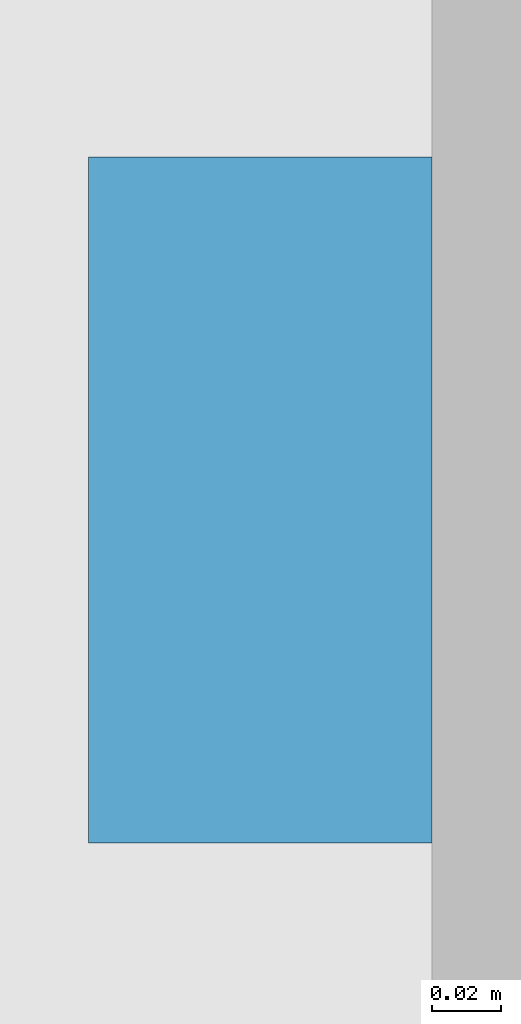
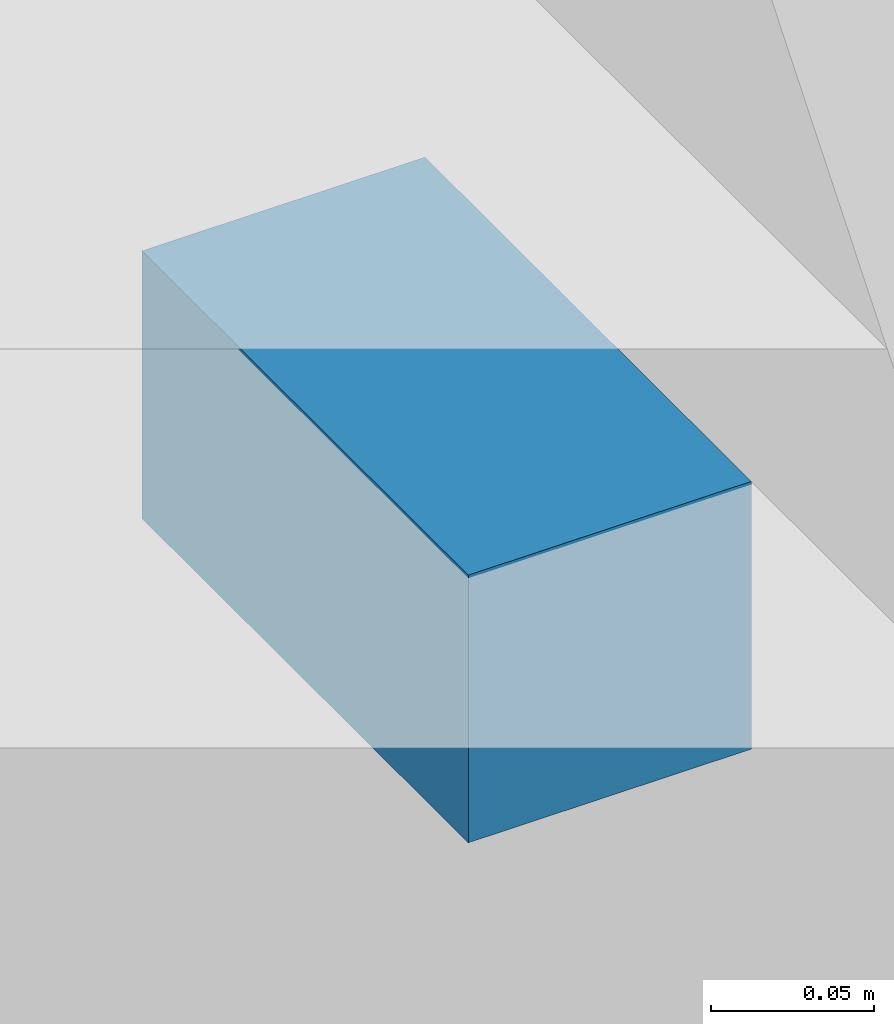
# One storey, part 15 of 17: 1 discrete accessory.
"""IFC4 building model written with IfcOpenShell, lengths in metres."""

from ifc_helpers import new_model, si_unit, direction, frame, origin, origin_2d, place, context, subcontext, project, spatial, rectangle, extrude, element, save


model = new_model("IFC4")

# Units and contexts
model_context = context("Model", 3, precision=1e-05, world=origin(), true_north=direction((0.0, 1.0)))
body_context = subcontext(model_context, "Body", "Model", "MODEL_VIEW")
ifc_project = project(units=[si_unit("LENGTHUNIT", "METRE"), si_unit("AREAUNIT", "SQUARE_METRE"), si_unit("VOLUMEUNIT", "CUBIC_METRE"), si_unit("PLANEANGLEUNIT", "RADIAN"), si_unit("MASSUNIT", "GRAM", prefix="KILO")], contexts=[model_context])

# Site, building, storey
site_placement = place(None, origin())
site = spatial("IfcSite", under=ifc_project, at=site_placement, CompositionType="ELEMENT")
building_placement = place(site_placement, origin())
building = spatial("IfcBuilding", under=site, at=building_placement, Name="Calvaro Tower", CompositionType="ELEMENT")
storey_placement = place(building_placement, frame((0.0, 0.0, 211.75)))
storey = spatial("IfcBuildingStorey", under=building, at=storey_placement, Name="L53", CompositionType="ELEMENT", Elevation=211.75)

# Discrete accessory
discrete_accessory_placement = place(storey_placement, frame((65.5, 3.60009765625, 2.349853515625), z_axis=(0.0, 0.0, 1.0), x_axis=(1.0, 0.0, 0.0)))
element("IfcDiscreteAccessory", 1, at=discrete_accessory_placement, inside=storey, Name="Brise-soleil bracket", PredefinedType="BRACKET", context=body_context, shape_type="SweptSolid", body=[
    extrude(rectangle(XDim=0.10009765625, YDim=0.199951171875, at=origin_2d()), origin(), (0.0, 0.0, 1.0), 0.10009765625),
])

save(model, "model.ifc")
